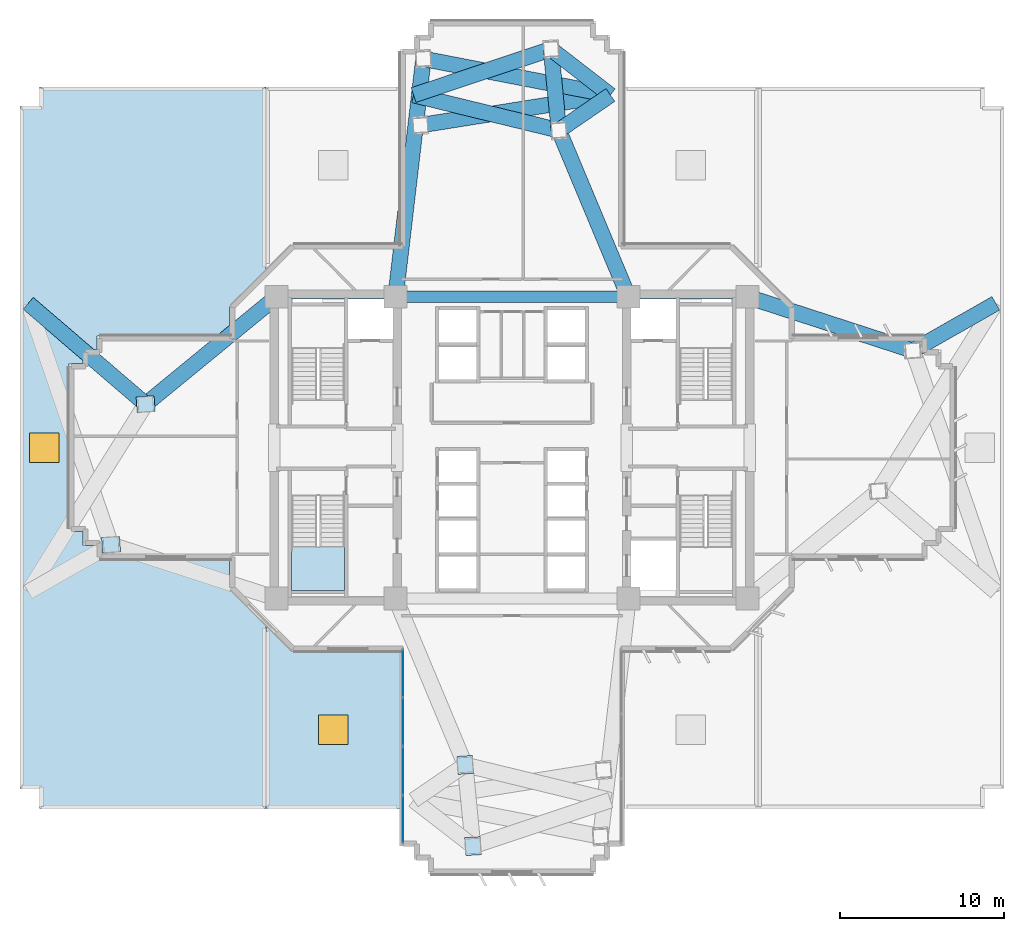
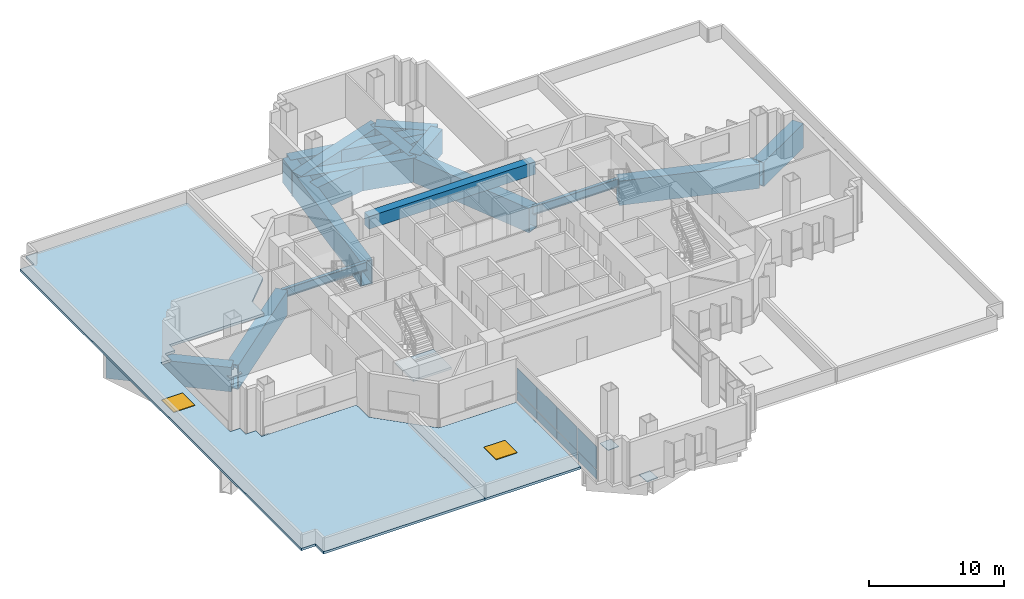
# One storey, part 5 of 15: 16 beams, 12 plates, 3 slabs, 2 windows, 2 openings, 2 elements without a shape of their own.
"""IFC4 building model written with IfcOpenShell, lengths in metres."""

from ifc_helpers import new_model, si_unit, direction, frame, origin, origin_2d, place, context, subcontext, project, spatial, polyline, rectangle, hollow_rectangle, i_section, outline, extrude, source, transform, mapped, material, layer, layer_set, material_profile, profile_set, type_object, element, fill, aggregate, save


model = new_model("IFC4")

# Units and contexts
model_context = context("Model", 3, precision=1e-05, world=origin(), true_north=direction((0.0, 1.0)))
body_context = subcontext(model_context, "Body", "Model", "MODEL_VIEW")
ifc_project = project(units=[si_unit("LENGTHUNIT", "METRE"), si_unit("AREAUNIT", "SQUARE_METRE"), si_unit("VOLUMEUNIT", "CUBIC_METRE"), si_unit("PLANEANGLEUNIT", "RADIAN"), si_unit("MASSUNIT", "GRAM", prefix="KILO")], contexts=[model_context])

# Site, building, storey
site_placement = place(None, origin())
site = spatial("IfcSite", under=ifc_project, at=site_placement, CompositionType="ELEMENT")
building_placement = place(site_placement, origin())
building = spatial("IfcBuilding", under=site, at=building_placement, Name="Zahravan Cultural Tower", CompositionType="ELEMENT")
storey_placement = place(building_placement, frame((0.0, 0.0, 29.10009765625)))
storey = spatial("IfcBuildingStorey", under=building, at=storey_placement, Name="L05", CompositionType="ELEMENT", Elevation=29.10009765625)

# Beams
ifc_material_1 = material(Name="Concrete C50/60", Category="concrete")
ifc_material_profile_1 = material_profile(ifc_material_1, rectangle(XDim=0.699951171875, YDim=1.14990234375, at=origin_2d()), Name="RC700X1150")
ifc_profile_set_1 = profile_set([ifc_material_profile_1], Name="Concrete C50/60")
beam_type_1 = type_object("IfcBeamType", Name="BM-LN-RC700X1150", PredefinedType="LINTEL", material=ifc_profile_set_1)
shared_shape_1 = source(origin(), body_context, "Body", "SweptSolid", [
    extrude(rectangle(XDim=0.699951171875, YDim=1.14990234375, at=origin_2d()), origin(), (0.0, 0.0, 1.0), 14.2001953125),
])
beam_1_placement = place(storey_placement, frame((28.89990234375, 36.199951171875, 3.375), z_axis=(1.0, 0.0, 0.0), x_axis=(0.0, 1.0, 0.0)))
element("IfcBeam", 1, at=beam_1_placement, inside=storey, type_object=beam_type_1, Name="L05 Beam LN-L05-N", PredefinedType="LINTEL", context=body_context, shape_type="MappedRepresentation", body=[
    mapped(shared_shape_1, transform((0.0, 0.0, 0.0), x_axis=(1.0, 0.0, 0.0), y_axis=(0.0, 1.0, 0.0), z_axis=(0.0, 0.0, 1.0), scale=1.0)),
])
ifc_material_2 = material(Name="Steel ASTM A992 Grade 50", Category="steel")
ifc_material_profile_2 = material_profile(ifc_material_2, i_section(OverallWidth=0.26611328125, OverallDepth=0.780029296875, WebThickness=0.0166015625, FlangeThickness=0.030029296875, FilletRadius=0.01904296875, at=origin_2d()), Name="W30X148")
ifc_profile_set_2 = profile_set([ifc_material_profile_2], Name="Steel ASTM A992 Grade 50")
beam_type_2 = type_object("IfcBeamType", Name="BM-G-W30X148", PredefinedType="BEAM", material=ifc_profile_set_2)
shared_shape_2 = source(origin(), body_context, "Body", "SweptSolid", [
    extrude(i_section(OverallWidth=0.26611328125, OverallDepth=0.780029296875, WebThickness=0.0166015625, FlangeThickness=0.030029296875, FilletRadius=0.01904296875, at=origin_2d()), origin(), (0.0, 0.0, 1.0), 7.25),
])
for number, where, z_axis, x_axis, name in (
    (2, (21.64990234375, 36.199951171875, -0.64013671875), (1.0, 0.0, 0.0), (0.0, 1.0, 0.0), "L05 Beam BG-L05-02"),
    (3, (43.10009765625, 36.199951171875, -0.64013671875), (1.0, 0.0, 0.0), (0.0, 1.0, 0.0), "L05 Beam BG-L05-05"),
):
    element("IfcBeam", number, at=place(storey_placement, frame(where, z_axis=z_axis, x_axis=x_axis)), inside=storey, type_object=beam_type_2, Name=name, PredefinedType="BEAM", context=body_context, shape_type="MappedRepresentation", body=[
        mapped(shared_shape_2, transform((0.0, 0.0, 0.0), x_axis=(1.0, 0.0, 0.0), y_axis=(0.0, 1.0, 0.0), z_axis=(0.0, 0.0, 1.0), scale=1.0)),
    ])
ifc_material_3 = material(Name="Steel ASTM A572 Grade 50", Category="steel")
ifc_material_profile_3 = material_profile(ifc_material_3, hollow_rectangle(XDim=0.949951171875, YDim=2.199951171875, WallThickness=0.070068359375, at=origin_2d()), Name="BOX2200X950X70")
ifc_profile_set_3 = profile_set([ifc_material_profile_3], Name="Steel ASTM A572 Grade 50")
beam_type_3 = type_object("IfcBeamType", Name="BM-TR-BOX2200", PredefinedType="BEAM", material=ifc_profile_set_3)
shared_shape_3 = source(origin(), body_context, "Body", "SweptSolid", [
    extrude(hollow_rectangle(XDim=0.949951171875, YDim=2.199951171875, WallThickness=0.070068359375, at=origin_2d()), origin(), (0.0, 0.0, 1.0), 10.615966796875),
])
beam_2_placement = place(storey_placement, frame((50.35009765625, 36.199951171875, -1.35009765625), z_axis=(0.951063640083, -0.30899506875, 0.0), x_axis=(0.30899506875, 0.951063640083, 0.0)))
element("IfcBeam", 4, at=beam_2_placement, inside=storey, type_object=beam_type_3, Name="L05 Beam TB-L05-25", PredefinedType="BEAM", context=body_context, shape_type="MappedRepresentation", body=[
    mapped(shared_shape_3, transform((0.0, 0.0, 0.0), x_axis=(1.0, 0.0, 0.0), y_axis=(0.0, 1.0, 0.0), z_axis=(0.0, 0.0, 1.0), scale=1.0)),
])
shared_shape_4 = source(origin(), body_context, "Body", "SweptSolid", [
    extrude(hollow_rectangle(XDim=0.949951171875, YDim=2.199951171875, WallThickness=0.070068359375, at=origin_2d()), origin(), (0.0, 0.0, 1.0), 5.816650390625),
])
beam_3_placement = place(storey_placement, frame((60.446533203125, 32.919677734375, -1.35009765625), z_axis=(0.868785034759, 0.495189421715, 0.0), x_axis=(-0.495189421715, 0.868785034759, 0.0)))
element("IfcBeam", 5, at=beam_3_placement, inside=storey, type_object=beam_type_3, Name="L05 Beam TB-L05-26", PredefinedType="BEAM", context=body_context, shape_type="MappedRepresentation", body=[
    mapped(shared_shape_4, transform((0.0, 0.0, 0.0), x_axis=(1.0, 0.0, 0.0), y_axis=(0.0, 1.0, 0.0), z_axis=(0.0, 0.0, 1.0), scale=1.0)),
])
shared_shape_5 = source(origin(), body_context, "Body", "SweptSolid", [
    extrude(hollow_rectangle(XDim=0.949951171875, YDim=2.199951171875, WallThickness=0.070068359375, at=origin_2d()), origin(), (0.0, 0.0, 1.0), 10.997802734375),
])
beam_4_placement = place(storey_placement, frame((43.10009765625, 36.199951171875, -1.35009765625), z_axis=(-0.385775211449, 0.922592806297, 0.0), x_axis=(-0.922592806297, -0.385775211449, 0.0)))
element("IfcBeam", 6, at=beam_4_placement, inside=storey, type_object=beam_type_3, Name="L05 Beam TB-L05-28", PredefinedType="BEAM", context=body_context, shape_type="MappedRepresentation", body=[
    mapped(shared_shape_5, transform((0.0, 0.0, 0.0), x_axis=(1.0, 0.0, 0.0), y_axis=(0.0, 1.0, 0.0), z_axis=(0.0, 0.0, 1.0), scale=1.0)),
])
shared_shape_6 = source(origin(), body_context, "Body", "SweptSolid", [
    extrude(hollow_rectangle(XDim=0.949951171875, YDim=2.199951171875, WallThickness=0.070068359375, at=origin_2d()), origin(), (0.0, 0.0, 1.0), 3.8095703125),
])
beam_5_placement = place(storey_placement, frame((38.857421875, 46.346435546875, -1.35009765625), z_axis=(0.824893635625, 0.565287970777, 0.0), x_axis=(-0.565287970777, 0.824893635625, 0.0)))
element("IfcBeam", 7, at=beam_5_placement, inside=storey, type_object=beam_type_3, Name="L05 Beam TB-L05-29", PredefinedType="BEAM", context=body_context, shape_type="MappedRepresentation", body=[
    mapped(shared_shape_6, transform((0.0, 0.0, 0.0), x_axis=(1.0, 0.0, 0.0), y_axis=(0.0, 1.0, 0.0), z_axis=(0.0, 0.0, 1.0), scale=1.0)),
])
shared_shape_7 = source(origin(), body_context, "Body", "SweptSolid", [
    extrude(hollow_rectangle(XDim=0.949951171875, YDim=2.199951171875, WallThickness=0.070068359375, at=origin_2d()), origin(), (0.0, 0.0, 1.0), 9.115478515625),
])
beam_6_placement = place(storey_placement, frame((38.857421875, 46.346435546875, -1.35009765625), z_axis=(-0.971691370569, 0.236253847293, 0.0), x_axis=(-0.236253847293, -0.971691370569, 0.0)))
element("IfcBeam", 8, at=beam_6_placement, inside=storey, type_object=beam_type_3, Name="L05 Beam TB-L05-30", PredefinedType="BEAM", context=body_context, shape_type="MappedRepresentation", body=[
    mapped(shared_shape_7, transform((0.0, 0.0, 0.0), x_axis=(1.0, 0.0, 0.0), y_axis=(0.0, 1.0, 0.0), z_axis=(0.0, 0.0, 1.0), scale=1.0)),
])
shared_shape_8 = source(origin(), body_context, "Body", "SweptSolid", [
    extrude(hollow_rectangle(XDim=0.949951171875, YDim=2.199951171875, WallThickness=0.070068359375, at=origin_2d()), origin(), (0.0, 0.0, 1.0), 4.57568359375),
])
beam_7_placement = place(storey_placement, frame((38.379150390625, 51.29736328125, -1.35009765625), z_axis=(0.791344843577, -0.611370050415, 0.0), x_axis=(0.611370050415, 0.791344843577, 0.0)))
element("IfcBeam", 9, at=beam_7_placement, inside=storey, type_object=beam_type_3, Name="L05 Beam TB-L05-32", PredefinedType="BEAM", context=body_context, shape_type="MappedRepresentation", body=[
    mapped(shared_shape_8, transform((0.0, 0.0, 0.0), x_axis=(1.0, 0.0, 0.0), y_axis=(0.0, 1.0, 0.0), z_axis=(0.0, 0.0, 1.0), scale=1.0)),
])
shared_shape_9 = source(origin(), body_context, "Body", "SweptSolid", [
    extrude(hollow_rectangle(XDim=0.949951171875, YDim=2.199951171875, WallThickness=0.070068359375, at=origin_2d()), origin(), (0.0, 0.0, 1.0), 8.833740234375),
])
beam_8_placement = place(storey_placement, frame((38.379150390625, 51.29736328125, -1.35009765625), z_axis=(-0.948536719059, -0.316667163748, 0.0), x_axis=(0.316667163748, -0.948536719059, 0.0)))
element("IfcBeam", 10, at=beam_8_placement, inside=storey, type_object=beam_type_3, Name="L05 Beam TB-L05-33", PredefinedType="BEAM", context=body_context, shape_type="MappedRepresentation", body=[
    mapped(shared_shape_9, transform((0.0, 0.0, 0.0), x_axis=(1.0, 0.0, 0.0), y_axis=(0.0, 1.0, 0.0), z_axis=(0.0, 0.0, 1.0), scale=1.0)),
])
shared_shape_10 = source(origin(), body_context, "Body", "SweptSolid", [
    extrude(hollow_rectangle(XDim=0.949951171875, YDim=2.199951171875, WallThickness=0.070068359375, at=origin_2d()), origin(), (0.0, 0.0, 1.0), 14.607177734375),
])
beam_9_placement = place(storey_placement, frame((28.89990234375, 36.199951171875, -1.35009765625), z_axis=(0.116428127806, 0.99319911954, 0.0), x_axis=(-0.99319911954, 0.116428127806, 0.0)))
element("IfcBeam", 11, at=beam_9_placement, inside=storey, type_object=beam_type_3, Name="L05 Beam TB-L05-34", PredefinedType="BEAM", context=body_context, shape_type="MappedRepresentation", body=[
    mapped(shared_shape_10, transform((0.0, 0.0, 0.0), x_axis=(1.0, 0.0, 0.0), y_axis=(0.0, 1.0, 0.0), z_axis=(0.0, 0.0, 1.0), scale=1.0)),
])
shared_shape_11 = source(origin(), body_context, "Body", "SweptSolid", [
    extrude(hollow_rectangle(XDim=0.949951171875, YDim=2.199951171875, WallThickness=0.070068359375, at=origin_2d()), origin(), (0.0, 0.0, 1.0), 11.611328125),
])
beam_10_placement = place(storey_placement, frame((30.6005859375, 50.707763671875, -1.35009765625), z_axis=(0.981756940259, -0.190140238387, 0.0), x_axis=(0.190140238387, 0.981756940259, 0.0)))
element("IfcBeam", 12, at=beam_10_placement, inside=storey, type_object=beam_type_3, Name="L05 Beam TB-L05-36", PredefinedType="BEAM", context=body_context, shape_type="MappedRepresentation", body=[
    mapped(shared_shape_11, transform((0.0, 0.0, 0.0), x_axis=(1.0, 0.0, 0.0), y_axis=(0.0, 1.0, 0.0), z_axis=(0.0, 0.0, 1.0), scale=1.0)),
])
shared_shape_12 = source(origin(), body_context, "Body", "SweptSolid", [
    extrude(hollow_rectangle(XDim=0.949951171875, YDim=2.199951171875, WallThickness=0.070068359375, at=origin_2d()), origin(), (0.0, 0.0, 1.0), 11.73046875),
])
beam_11_placement = place(storey_placement, frame((30.4150390625, 46.658203125, -1.35009765625), z_axis=(0.987597034651, 0.157009863218, 0.0), x_axis=(-0.157009863218, 0.987597034651, 0.0)))
element("IfcBeam", 13, at=beam_11_placement, inside=storey, type_object=beam_type_3, Name="L05 Beam TB-L05-39", PredefinedType="BEAM", context=body_context, shape_type="MappedRepresentation", body=[
    mapped(shared_shape_12, transform((0.0, 0.0, 0.0), x_axis=(1.0, 0.0, 0.0), y_axis=(0.0, 1.0, 0.0), z_axis=(0.0, 0.0, 1.0), scale=1.0)),
])
shared_shape_13 = source(origin(), body_context, "Body", "SweptSolid", [
    extrude(hollow_rectangle(XDim=0.949951171875, YDim=2.199951171875, WallThickness=0.070068359375, at=origin_2d()), origin(), (0.0, 0.0, 1.0), 10.33203125),
])
beam_12_placement = place(storey_placement, frame((21.64990234375, 36.199951171875, -1.35009765625), z_axis=(-0.773231409473, -0.634123952713, 0.0), x_axis=(0.634123952713, -0.773231409473, 0.0)))
element("IfcBeam", 14, at=beam_12_placement, inside=storey, type_object=beam_type_3, Name="L05 Beam TB-L05-40", PredefinedType="BEAM", context=body_context, shape_type="MappedRepresentation", body=[
    mapped(shared_shape_13, transform((0.0, 0.0, 0.0), x_axis=(1.0, 0.0, 0.0), y_axis=(0.0, 1.0, 0.0), z_axis=(0.0, 0.0, 1.0), scale=1.0)),
])
shared_shape_14 = source(origin(), body_context, "Body", "SweptSolid", [
    extrude(hollow_rectangle(XDim=0.949951171875, YDim=2.199951171875, WallThickness=0.070068359375, at=origin_2d()), origin(), (0.0, 0.0, 1.0), 9.4404296875),
])
beam_13_placement = place(storey_placement, frame((13.660888671875, 29.648193359375, -1.35009765625), z_axis=(-0.758525934456, 0.65164285215, 0.0), x_axis=(-0.65164285215, -0.758525934456, 0.0)))
element("IfcBeam", 15, at=beam_13_placement, inside=storey, type_object=beam_type_3, Name="L05 Beam TB-L05-41", PredefinedType="BEAM", context=body_context, shape_type="MappedRepresentation", body=[
    mapped(shared_shape_14, transform((0.0, 0.0, 0.0), x_axis=(1.0, 0.0, 0.0), y_axis=(0.0, 1.0, 0.0), z_axis=(0.0, 0.0, 1.0), scale=1.0)),
])
shared_shape_15 = source(origin(), body_context, "Body", "SweptSolid", [
    extrude(hollow_rectangle(XDim=0.949951171875, YDim=2.199951171875, WallThickness=0.070068359375, at=origin_2d()), origin(), (0.0, 0.0, 1.0), 4.973876953125),
])
beam_14_placement = place(storey_placement, frame((38.857421875, 46.346435546875, -1.35009765625), z_axis=(-0.096154779131, 0.995366394073, 0.0), x_axis=(-0.995366394073, -0.096154779131, 0.0)))
element("IfcBeam", 16, at=beam_14_placement, inside=storey, type_object=beam_type_3, Name="L05 Beam TB-L05-50", PredefinedType="BEAM", context=body_context, shape_type="MappedRepresentation", body=[
    mapped(shared_shape_15, transform((0.0, 0.0, 0.0), x_axis=(1.0, 0.0, 0.0), y_axis=(0.0, 1.0, 0.0), z_axis=(0.0, 0.0, 1.0), scale=1.0)),
])

# Slab, opening, window
ifc_material_4 = material(Name="Precast concrete C40/50", Category="concrete")
ifc_layer_1 = layer(ifc_material_4, 0.219970703125)
ifc_layer_set_1 = layer_set([ifc_layer_1], Name="Precast concrete C40/50")
slab_type_1 = type_object("IfcSlabType", Name="SL-ROOF-220", PredefinedType="ROOF", material=ifc_layer_set_1)
slab_1_placement = place(storey_placement, frame((0.0, 0.0, -0.22021484375)))
slab_1 = element("IfcSlab", 17, at=slab_1_placement, inside=storey, type_object=slab_type_1, Name="L05 Setback Roof Slab 1", PredefinedType="ROOF", context=body_context, shape_type="SweptSolid", body=[
    extrude(outline(polyline([(7.199951171875, 6.199951171875), (7.199951171875, 5.0), (21.0, 5.0), (21.0, 16.171630859375), (18.782470703125, 18.390625), (18.780029296875, 20.179931640625), (10.696044921875, 20.180419921875), (10.679931640625, 20.199951171875), (10.679931640625, 21.030029296875), (9.85009765625, 21.030029296875), (9.83251953125, 21.04052734375), (9.830078125, 21.8798828125), (9.0, 21.8798828125), (8.984619140625, 21.88720703125), (8.97998046875, 32.10009765625), (8.98583984375, 32.114013671875), (9.0, 32.1201171875), (9.830078125, 32.1201171875), (9.830078125, 32.949951171875), (9.840576171875, 32.967529296875), (10.679931640625, 32.969970703125), (10.679931640625, 33.800048828125), (10.696044921875, 33.819580078125), (18.780029296875, 33.820068359375), (18.782470703125, 35.609375), (21.0, 37.828369140625), (21.0, 49.0), (7.199951171875, 49.0), (7.199951171875, 47.800048828125), (6.0, 47.800048828125), (6.0, 6.199951171875), (7.199951171875, 6.199951171875)])), origin(), (0.0, 0.0, 1.0), 0.22021484375),
])
opening_1_placement = place(slab_1_placement, frame((7.490966796875, 26.993896484375, 0.0)))
opening_1 = element("IfcOpeningElement", 18, at=opening_1_placement, cuts=slab_1, Name="Opening SK-01", PredefinedType="OPENING", context=body_context, shape_type="SweptSolid", body=[
    extrude(rectangle(XDim=1.800048828125, YDim=1.800048828125, at=origin_2d()), frame((0.0, 0.0, -0.010009765625), z_axis=(0.0, 0.0, 1.0), x_axis=(1.0, 0.0, 0.0)), (0.0, 0.0, 1.0), 0.310302734375),
])
ifc_material_5 = material(Name="Low-E solar-control double glazing", Category="glass")
window_type = type_object("IfcWindowType", Name="SK-MUSEUM-1800", PartitioningType="SINGLE_PANEL", PredefinedType="SKYLIGHT", material=ifc_material_5)
window_1_placement = place(opening_1_placement, frame((0.0, 0.0, 0.22021484375)))
window_1 = element("IfcWindow", 19, at=window_1_placement, inside=storey, type_object=window_type, Name="L05 Museum Gallery Skylight", OverallHeight=1.800048828125, OverallWidth=1.800048828125, PartitioningType="SINGLE_PANEL", PredefinedType="SKYLIGHT", context=body_context, shape_type="SweptSolid", body=[
    extrude(rectangle(XDim=1.800048828125, YDim=1.800048828125, at=origin_2d()), origin(), (0.0, 0.0, 1.0), 0.050048828125),
])
fill(opening_1, window_1)

slab_2_placement = place(storey_placement, frame((0.0, 0.0, -0.22021484375)))
slab_2 = element("IfcSlab", 20, at=slab_2_placement, inside=storey, type_object=slab_type_1, Name="L05 Setback Roof Slab 5", PredefinedType="ROOF", context=body_context, shape_type="SweptSolid", body=[
    extrude(outline(polyline([(21.0, 16.171630859375), (21.0, 5.0), (29.179931640625, 5.0), (29.179931640625, 14.580078125), (22.60009765625, 14.580078125), (22.5859375, 14.5859375), (21.0, 16.171630859375)])), origin(), (0.0, 0.0, 1.0), 0.22021484375),
])
opening_2_placement = place(slab_2_placement, frame((25.090087890625, 9.7900390625, 0.0)))
opening_2 = element("IfcOpeningElement", 21, at=opening_2_placement, cuts=slab_2, Name="Opening SK-01", PredefinedType="OPENING", context=body_context, shape_type="SweptSolid", body=[
    extrude(rectangle(XDim=1.800048828125, YDim=1.800048828125, at=origin_2d()), frame((0.0, 0.0, -0.010009765625), z_axis=(0.0, 0.0, 1.0), x_axis=(1.0, 0.0, 0.0)), (0.0, 0.0, 1.0), 0.310302734375),
])
window_2_placement = place(opening_2_placement, frame((0.0, 0.0, 0.22021484375)))
window_2 = element("IfcWindow", 22, at=window_2_placement, inside=storey, type_object=window_type, Name="L05 Museum Gallery Skylight", OverallHeight=1.800048828125, OverallWidth=1.800048828125, PartitioningType="SINGLE_PANEL", PredefinedType="SKYLIGHT", context=body_context, shape_type="SweptSolid", body=[
    extrude(rectangle(XDim=1.800048828125, YDim=1.800048828125, at=origin_2d()), origin(), (0.0, 0.0, 1.0), 0.050048828125),
])
fill(opening_2, window_2)

# Stair, slab
ifc_material_6 = material(Name="Concrete C45/55", Category="concrete")
stair_type = type_object("IfcStairType", Name="STR-DL-1550-420", PredefinedType="HALF_TURN_STAIR", material=ifc_material_6)
stair_placement = place(storey_placement, origin())
stair = element("IfcStair", 23, at=stair_placement, inside=storey, type_object=stair_type, Name="L05 West Core South Exit Stair ST-W2", PredefinedType="HALF_TURN_STAIR")
ifc_layer_2 = layer(ifc_material_6, 0.199951171875)
ifc_layer_set_2 = layer_set([ifc_layer_2], Name="Concrete C45/55")
slab_type_2 = type_object("IfcSlabType", Name="SL-STAIR-LND200", PredefinedType="LANDING", material=ifc_layer_set_2)
slab_3_placement = place(storey_placement, frame((0.0, 0.0, 1.89990234375)))
slab_3 = element("IfcSlab", 24, at=slab_3_placement, type_object=slab_type_2, Name="ST-W2 landing 1", PredefinedType="LANDING", context=body_context, shape_type="SweptSolid", body=[
    extrude(outline(polyline([(22.550048828125, 20.969970703125), (22.550048828125, 18.300048828125), (25.800048828125, 18.300048828125), (25.800048828125, 20.969970703125), (22.550048828125, 20.969970703125)])), origin(), (0.0, 0.0, 1.0), 0.199951171875),
])
aggregate(stair, [slab_3])

# Plates
ifc_layer_3 = layer(ifc_material_3, 0.06005859375)
ifc_layer_set_3 = layer_set([ifc_layer_3], Name="Steel ASTM A572 Grade 50")
plate_type_1 = type_object("IfcPlateType", Name="PL-NODE-60", PredefinedType="SHEET", material=ifc_layer_set_3)
shared_shape_16 = source(origin(), body_context, "Body", "SweptSolid", [
    extrude(rectangle(XDim=1.10009765625, YDim=0.949951171875, at=origin_2d()), origin(), (0.0, 0.0, 1.0), 0.06005859375),
])
for number, where, z_axis, x_axis, name in (
    (25, (11.553466796875, 21.080322265625, -1.080078125), (0.0, 0.0, 1.0), (0.99756405026, 0.069756473744, 0.0), "L05 Transfer Node Plate TN1"),
    (26, (33.142578125, 7.653564453125, -1.080078125), (0.0, 0.0, 1.0), (-0.069756473744, 0.99756405026, 0.0), "L05 Transfer Node Plate TN1"),
    (27, (33.620849609375, 2.70263671875, -1.080078125), (0.0, 0.0, 1.0), (-0.062790519529, 0.998026728428, 0.0), "L05 Transfer Node Plate TN1"),
    (28, (13.660888671875, 29.648193359375, -1.080078125), (0.0, 0.0, 1.0), (0.99756405026, 0.069756473744, 0.0), "L05 Transfer Node Plate TN1"),
):
    element("IfcPlate", number, at=place(storey_placement, frame(where, z_axis=z_axis, x_axis=x_axis)), inside=storey, type_object=plate_type_1, Name=name, PredefinedType="SHEET", context=body_context, shape_type="MappedRepresentation", body=[
        mapped(shared_shape_16, transform((0.0, 0.0, 0.0), x_axis=(1.0, 0.0, 0.0), y_axis=(0.0, 1.0, 0.0), z_axis=(0.0, 0.0, 1.0), scale=1.0)),
    ])

# Curtain wall, plates
ifc_material_7 = material(Name="Anodised bronze-aluminium mullion", Category="aluminium")
ifc_layer_4 = layer(ifc_material_7, 0.179931640625)
ifc_layer_set_4 = layer_set([ifc_layer_4], Name="Anodised bronze-aluminium mullion")
curtain_wall_type = type_object("IfcCurtainWallType", Name="CW-SYS-3", PredefinedType="USERDEFINED", material=ifc_layer_set_4)
curtain_wall_placement = place(storey_placement, origin())
curtain_wall = element("IfcCurtainWall", 29, at=curtain_wall_placement, inside=storey, type_object=curtain_wall_type, Name="L05 Recessed Curtain Wall CW-3.2", ObjectType="RECESSED GLAZING", PredefinedType="USERDEFINED")
ifc_layer_5 = layer(ifc_material_5, 0.028076171875)
ifc_layer_set_5 = layer_set([ifc_layer_5], Name="Low-E solar-control double glazing")
plate_type_2 = type_object("IfcPlateType", Name="CWP-CW-3", PredefinedType="CURTAIN_PANEL", material=ifc_layer_set_5)
shared_shape_17 = source(origin(), body_context, "Body", "SweptSolid", [
    extrude(rectangle(XDim=2.8701171875, YDim=0.028076171875, at=origin_2d()), origin(), (0.0, 0.0, 1.0), 0.794921875),
])
plate_1_placement = place(storey_placement, frame((29.340087890625, 4.344970703125, 0.06982421875), z_axis=(0.0, 0.0, 1.0), x_axis=(0.0, 1.0, 0.0)))
plate_1 = element("IfcPlate", 30, at=plate_1_placement, type_object=plate_type_2, Name="CW-3 panel 1.1", PredefinedType="CURTAIN_PANEL", context=body_context, shape_type="MappedRepresentation", body=[
    mapped(shared_shape_17, transform((0.0, 0.0, 0.0), x_axis=(1.0, 0.0, 0.0), y_axis=(0.0, 1.0, 0.0), z_axis=(0.0, 0.0, 1.0), scale=1.0)),
])
plate_2_placement = place(storey_placement, frame((29.340087890625, 13.235107421875, 0.06982421875), z_axis=(0.0, 0.0, 1.0), x_axis=(0.0, 1.0, 0.0)))
plate_2 = element("IfcPlate", 31, at=plate_2_placement, type_object=plate_type_2, Name="CW-3 panel 4.1", PredefinedType="CURTAIN_PANEL", context=body_context, shape_type="MappedRepresentation", body=[
    mapped(shared_shape_17, transform((0.0, 0.0, 0.0), x_axis=(1.0, 0.0, 0.0), y_axis=(0.0, 1.0, 0.0), z_axis=(0.0, 0.0, 1.0), scale=1.0)),
])
shared_shape_18 = source(origin(), body_context, "Body", "SweptSolid", [
    extrude(rectangle(XDim=2.8701171875, YDim=0.028076171875, at=origin_2d()), origin(), (0.0, 0.0, 1.0), 2.06494140625),
])
plate_3_placement = place(storey_placement, frame((29.340087890625, 4.344970703125, 0.934814453125), z_axis=(0.0, 0.0, 1.0), x_axis=(0.0, 1.0, 0.0)))
plate_3 = element("IfcPlate", 32, at=plate_3_placement, type_object=plate_type_2, Name="CW-3 panel 1.2", PredefinedType="CURTAIN_PANEL", context=body_context, shape_type="MappedRepresentation", body=[
    mapped(shared_shape_18, transform((0.0, 0.0, 0.0), x_axis=(1.0, 0.0, 0.0), y_axis=(0.0, 1.0, 0.0), z_axis=(0.0, 0.0, 1.0), scale=1.0)),
])
plate_4_placement = place(storey_placement, frame((29.340087890625, 13.235107421875, 0.934814453125), z_axis=(0.0, 0.0, 1.0), x_axis=(0.0, 1.0, 0.0)))
plate_4 = element("IfcPlate", 33, at=plate_4_placement, type_object=plate_type_2, Name="CW-3 panel 4.2", PredefinedType="CURTAIN_PANEL", context=body_context, shape_type="MappedRepresentation", body=[
    mapped(shared_shape_18, transform((0.0, 0.0, 0.0), x_axis=(1.0, 0.0, 0.0), y_axis=(0.0, 1.0, 0.0), z_axis=(0.0, 0.0, 1.0), scale=1.0)),
])
shared_shape_19 = source(origin(), body_context, "Body", "SweptSolid", [
    extrude(rectangle(XDim=2.905029296875, YDim=0.028076171875, at=origin_2d()), origin(), (0.0, 0.0, 1.0), 0.794921875),
])
plate_5_placement = place(storey_placement, frame((29.340087890625, 7.302490234375, 0.06982421875), z_axis=(0.0, 0.0, 1.0), x_axis=(0.0, 1.0, 0.0)))
plate_5 = element("IfcPlate", 34, at=plate_5_placement, type_object=plate_type_2, Name="CW-3 panel 2.1", PredefinedType="CURTAIN_PANEL", context=body_context, shape_type="MappedRepresentation", body=[
    mapped(shared_shape_19, transform((0.0, 0.0, 0.0), x_axis=(1.0, 0.0, 0.0), y_axis=(0.0, 1.0, 0.0), z_axis=(0.0, 0.0, 1.0), scale=1.0)),
])
plate_6_placement = place(storey_placement, frame((29.340087890625, 10.277587890625, 0.06982421875), z_axis=(0.0, 0.0, 1.0), x_axis=(0.0, 1.0, 0.0)))
plate_6 = element("IfcPlate", 35, at=plate_6_placement, type_object=plate_type_2, Name="CW-3 panel 3.1", PredefinedType="CURTAIN_PANEL", context=body_context, shape_type="MappedRepresentation", body=[
    mapped(shared_shape_19, transform((0.0, 0.0, 0.0), x_axis=(1.0, 0.0, 0.0), y_axis=(0.0, 1.0, 0.0), z_axis=(0.0, 0.0, 1.0), scale=1.0)),
])
shared_shape_20 = source(origin(), body_context, "Body", "SweptSolid", [
    extrude(rectangle(XDim=2.905029296875, YDim=0.028076171875, at=origin_2d()), origin(), (0.0, 0.0, 1.0), 2.06494140625),
])
plate_7_placement = place(storey_placement, frame((29.340087890625, 7.302490234375, 0.934814453125), z_axis=(0.0, 0.0, 1.0), x_axis=(0.0, 1.0, 0.0)))
plate_7 = element("IfcPlate", 36, at=plate_7_placement, type_object=plate_type_2, Name="CW-3 panel 2.2", PredefinedType="CURTAIN_PANEL", context=body_context, shape_type="MappedRepresentation", body=[
    mapped(shared_shape_20, transform((0.0, 0.0, 0.0), x_axis=(1.0, 0.0, 0.0), y_axis=(0.0, 1.0, 0.0), z_axis=(0.0, 0.0, 1.0), scale=1.0)),
])
plate_8_placement = place(storey_placement, frame((29.340087890625, 10.277587890625, 0.934814453125), z_axis=(0.0, 0.0, 1.0), x_axis=(0.0, 1.0, 0.0)))
plate_8 = element("IfcPlate", 37, at=plate_8_placement, type_object=plate_type_2, Name="CW-3 panel 3.2", PredefinedType="CURTAIN_PANEL", context=body_context, shape_type="MappedRepresentation", body=[
    mapped(shared_shape_20, transform((0.0, 0.0, 0.0), x_axis=(1.0, 0.0, 0.0), y_axis=(0.0, 1.0, 0.0), z_axis=(0.0, 0.0, 1.0), scale=1.0)),
])
aggregate(curtain_wall, [plate_1, plate_3, plate_5, plate_7, plate_6, plate_8, plate_2, plate_4])

save(model, "model.ifc")
